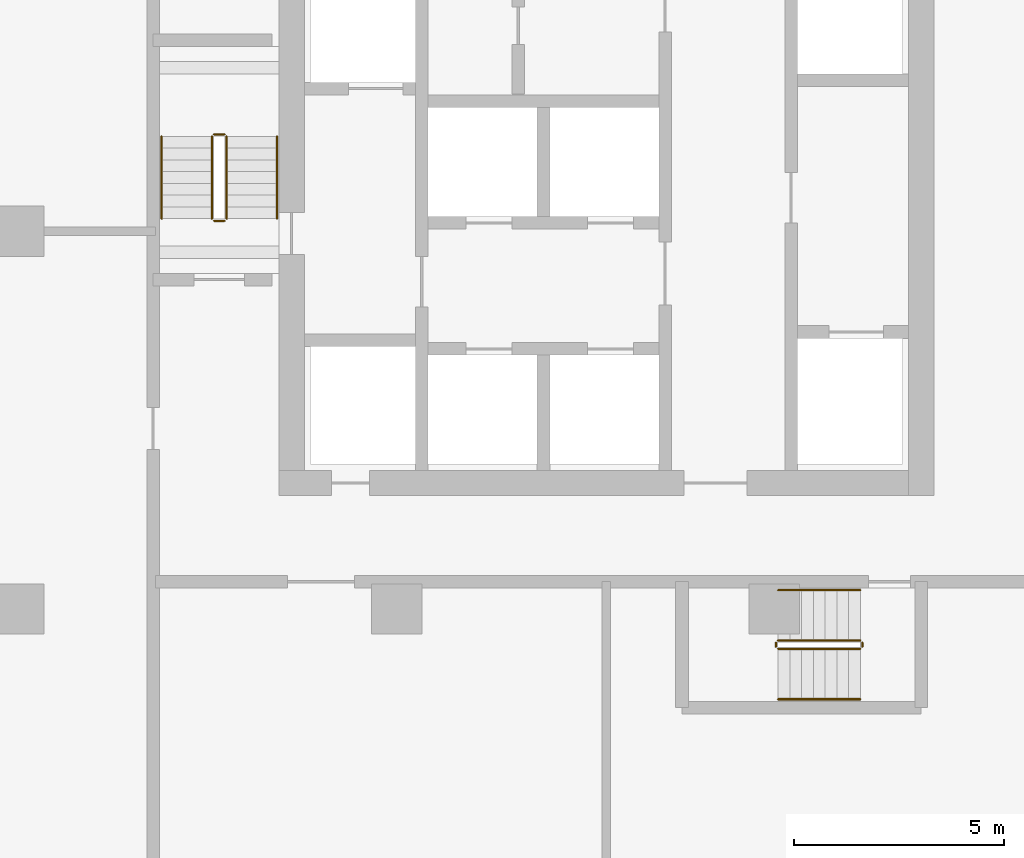
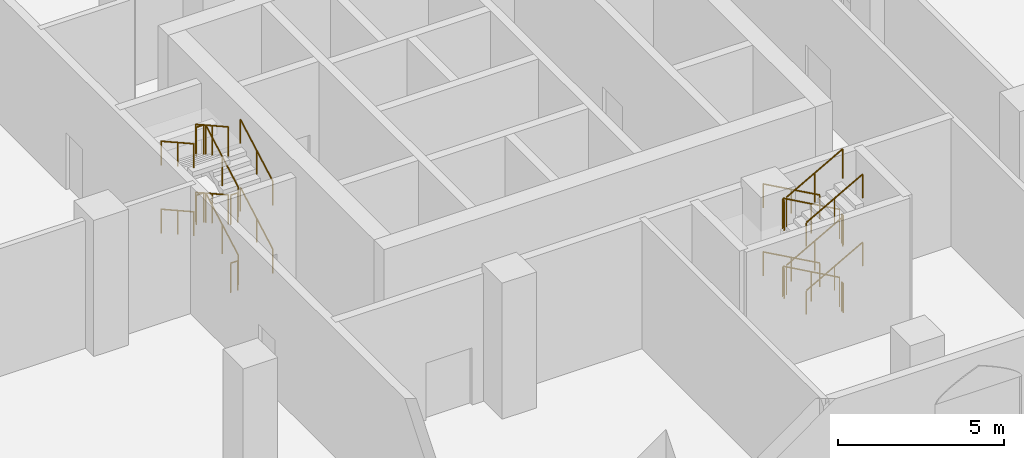
# One storey, part 30 of 31: 24 railings.
"""IFC4 building model written with IfcOpenShell, lengths in metres."""

from ifc_helpers import new_model, si_unit, direction, frame, origin, origin_2d, place, context, subcontext, project, spatial, circle, extrude, material, type_object, element, save


model = new_model("IFC4")

# Units and contexts
model_context = context("Model", 3, precision=1e-05, world=origin(), true_north=direction((0.0, 1.0)))
body_context = subcontext(model_context, "Body", "Model", "MODEL_VIEW")
ifc_project = project(units=[si_unit("LENGTHUNIT", "METRE"), si_unit("AREAUNIT", "SQUARE_METRE"), si_unit("VOLUMEUNIT", "CUBIC_METRE"), si_unit("PLANEANGLEUNIT", "RADIAN"), si_unit("MASSUNIT", "GRAM", prefix="KILO")], contexts=[model_context])

# Site, building, storey
site_placement = place(None, origin())
site = spatial("IfcSite", under=ifc_project, at=site_placement, CompositionType="ELEMENT")
building_placement = place(site_placement, origin())
building = spatial("IfcBuilding", under=site, at=building_placement, Name="Ogive Portal Towers", CompositionType="ELEMENT")
storey_placement = place(building_placement, frame((0.0, 0.0, 13.5)))
storey = spatial("IfcBuildingStorey", under=building, at=storey_placement, Name="L02", CompositionType="ELEMENT", Elevation=13.5)

# Railings
ifc_material_1 = material(Name="Stainless steel balustrade", Category="steel")
railing_type_1 = type_object("IfcRailingType", Name="INT-GUARD", PredefinedType="GUARDRAIL", material=ifc_material_1)
railing_1_placement = place(storey_placement, frame((127.449951171875, 30.800048828125, 0.15625)))
element("IfcRailing", 1, at=railing_1_placement, inside=storey, type_object=railing_type_1, Name="L02 ST-B1 stair guard 1", PredefinedType="GUARDRAIL", context=body_context, shape_type="SweptSolid", body=[
    extrude(circle(Radius=0.02392578125, at=origin_2d()), frame((0.0, 0.0, 1.076171875), z_axis=(0.0, 0.873232148454, 0.487304437602), x_axis=(-1.0, 0.0, 0.0)), (0.0, 0.0, 1.0), 2.244384765625),
    extrude(circle(Radius=0.02099609375, at=origin_2d()), origin(), (0.0, 0.0, 1.0), 1.052001953125),
    extrude(circle(Radius=0.02099609375, at=origin_2d()), frame((0.0, 0.97998046875, 0.546875)), (0.0, 0.0, 1.0), 1.052001953125),
    extrude(circle(Radius=0.02099609375, at=origin_2d()), frame((0.0, 1.9599609375, 1.09375)), (0.0, 0.0, 1.0), 1.052001953125),
])
railing_2_placement = place(storey_placement, frame((127.39990234375, 32.81005859375, 1.25)))
element("IfcRailing", 2, at=railing_2_placement, inside=storey, type_object=railing_type_1, Name="L02 ST-B1 stair guard 2", PredefinedType="GUARDRAIL", context=body_context, shape_type="SweptSolid", body=[
    extrude(circle(Radius=0.02392578125, at=origin_2d()), frame((0.0, 0.0, 1.076171875), z_axis=(-1.0, 0.0, 0.0), x_axis=(0.0, -1.0, 0.0)), (0.0, 0.0, 1.0), 0.25),
    extrude(circle(Radius=0.02099609375, at=origin_2d()), origin(), (0.0, 0.0, 1.0), 1.052001953125),
    extrude(circle(Radius=0.02099609375, at=origin_2d()), frame((-0.25, 0.0, 0.0)), (0.0, 0.0, 1.0), 1.052001953125),
])
railing_3_placement = place(storey_placement, frame((127.10009765625, 32.760009765625, 1.40625)))
element("IfcRailing", 3, at=railing_3_placement, inside=storey, type_object=railing_type_1, Name="L02 ST-B1 stair guard 3", PredefinedType="GUARDRAIL", context=body_context, shape_type="SweptSolid", body=[
    extrude(circle(Radius=0.02392578125, at=origin_2d()), frame((0.0, 0.0, 1.076171875), z_axis=(0.0, -0.873232148454, 0.487304437602), x_axis=(1.0, 0.0, 0.0)), (0.0, 0.0, 1.0), 2.244384765625),
    extrude(circle(Radius=0.02099609375, at=origin_2d()), origin(), (0.0, 0.0, 1.0), 1.052001953125),
    extrude(circle(Radius=0.02099609375, at=origin_2d()), frame((0.0, -0.97998046875, 0.546875)), (0.0, 0.0, 1.0), 1.052001953125),
    extrude(circle(Radius=0.02099609375, at=origin_2d()), frame((0.0, -1.9599609375, 1.09375)), (0.0, 0.0, 1.0), 1.052001953125),
])
railing_4_placement = place(storey_placement, frame((127.39990234375, 30.75, 2.5)))
element("IfcRailing", 4, at=railing_4_placement, inside=storey, type_object=railing_type_1, Name="L02 ST-B1 stair guard 4", PredefinedType="GUARDRAIL", context=body_context, shape_type="SweptSolid", body=[
    extrude(circle(Radius=0.02392578125, at=origin_2d()), frame((0.0, 0.0, 1.076171875), z_axis=(-1.0, 0.0, 0.0), x_axis=(0.0, -1.0, 0.0)), (0.0, 0.0, 1.0), 0.25),
    extrude(circle(Radius=0.02099609375, at=origin_2d()), origin(), (0.0, 0.0, 1.0), 1.052001953125),
    extrude(circle(Radius=0.02099609375, at=origin_2d()), frame((-0.25, 0.0, 0.0)), (0.0, 0.0, 1.0), 1.052001953125),
])
railing_5_placement = place(storey_placement, frame((127.449951171875, 30.800048828125, 2.65625)))
element("IfcRailing", 5, at=railing_5_placement, inside=storey, type_object=railing_type_1, Name="L02 ST-B1 stair guard 5", PredefinedType="GUARDRAIL", context=body_context, shape_type="SweptSolid", body=[
    extrude(circle(Radius=0.02392578125, at=origin_2d()), frame((0.0, 0.0, 1.076171875), z_axis=(0.0, 0.873232148454, 0.487304437602), x_axis=(-1.0, 0.0, 0.0)), (0.0, 0.0, 1.0), 2.244384765625),
    extrude(circle(Radius=0.02099609375, at=origin_2d()), origin(), (0.0, 0.0, 1.0), 1.052001953125),
    extrude(circle(Radius=0.02099609375, at=origin_2d()), frame((0.0, 0.97998046875, 0.546875)), (0.0, 0.0, 1.0), 1.052001953125),
    extrude(circle(Radius=0.02099609375, at=origin_2d()), frame((0.0, 1.9599609375, 1.09375)), (0.0, 0.0, 1.0), 1.052001953125),
])
railing_6_placement = place(storey_placement, frame((127.39990234375, 32.81005859375, 3.75)))
element("IfcRailing", 6, at=railing_6_placement, inside=storey, type_object=railing_type_1, Name="L02 ST-B1 stair guard 6", PredefinedType="GUARDRAIL", context=body_context, shape_type="SweptSolid", body=[
    extrude(circle(Radius=0.02392578125, at=origin_2d()), frame((0.0, 0.0, 1.076171875), z_axis=(-1.0, 0.0, 0.0), x_axis=(0.0, -1.0, 0.0)), (0.0, 0.0, 1.0), 0.25),
    extrude(circle(Radius=0.02099609375, at=origin_2d()), origin(), (0.0, 0.0, 1.0), 1.052001953125),
    extrude(circle(Radius=0.02099609375, at=origin_2d()), frame((-0.25, 0.0, 0.0)), (0.0, 0.0, 1.0), 1.052001953125),
])
railing_7_placement = place(storey_placement, frame((127.10009765625, 32.760009765625, 3.90625)))
element("IfcRailing", 7, at=railing_7_placement, inside=storey, type_object=railing_type_1, Name="L02 ST-B1 stair guard 7", PredefinedType="GUARDRAIL", context=body_context, shape_type="SweptSolid", body=[
    extrude(circle(Radius=0.02392578125, at=origin_2d()), frame((0.0, 0.0, 1.076171875), z_axis=(0.0, -0.873232148454, 0.487304437602), x_axis=(1.0, 0.0, 0.0)), (0.0, 0.0, 1.0), 2.244384765625),
    extrude(circle(Radius=0.02099609375, at=origin_2d()), origin(), (0.0, 0.0, 1.0), 1.052001953125),
    extrude(circle(Radius=0.02099609375, at=origin_2d()), frame((0.0, -0.97998046875, 0.546875)), (0.0, 0.0, 1.0), 1.052001953125),
    extrude(circle(Radius=0.02099609375, at=origin_2d()), frame((0.0, -1.9599609375, 1.09375)), (0.0, 0.0, 1.0), 1.052001953125),
])
railing_8_placement = place(storey_placement, frame((127.39990234375, 30.75, 0.0)))
element("IfcRailing", 8, at=railing_8_placement, inside=storey, type_object=railing_type_1, Name="L02 ST-B1 stair guard 8", PredefinedType="GUARDRAIL", context=body_context, shape_type="SweptSolid", body=[
    extrude(circle(Radius=0.02392578125, at=origin_2d()), frame((0.0, 0.0, 1.076171875), z_axis=(-1.0, 0.0, 0.0), x_axis=(0.0, -1.0, 0.0)), (0.0, 0.0, 1.0), 0.25),
    extrude(circle(Radius=0.02099609375, at=origin_2d()), origin(), (0.0, 0.0, 1.0), 1.052001953125),
    extrude(circle(Radius=0.02099609375, at=origin_2d()), frame((-0.25, 0.0, 0.0)), (0.0, 0.0, 1.0), 1.052001953125),
])
railing_9_placement = place(storey_placement, frame((142.550048828125, 20.75, 0.15625)))
element("IfcRailing", 9, at=railing_9_placement, inside=storey, type_object=railing_type_1, Name="L02 ST-B2 stair guard 1", PredefinedType="GUARDRAIL", context=body_context, shape_type="SweptSolid", body=[
    extrude(circle(Radius=0.02392578125, at=origin_2d()), frame((0.0, 0.0, 1.076171875), z_axis=(-0.873232148454, 0.0, 0.487304437602), x_axis=(0.0, -1.0, 0.0)), (0.0, 0.0, 1.0), 2.244384765625),
    extrude(circle(Radius=0.02099609375, at=origin_2d()), origin(), (0.0, 0.0, 1.0), 1.052001953125),
    extrude(circle(Radius=0.02099609375, at=origin_2d()), frame((-0.97998046875, 0.0, 0.546875)), (0.0, 0.0, 1.0), 1.052001953125),
    extrude(circle(Radius=0.02099609375, at=origin_2d()), frame((-1.9599609375, 0.0, 1.09375)), (0.0, 0.0, 1.0), 1.052001953125),
])
railing_10_placement = place(storey_placement, frame((140.5400390625, 20.699951171875, 1.25)))
element("IfcRailing", 10, at=railing_10_placement, inside=storey, type_object=railing_type_1, Name="L02 ST-B2 stair guard 2", PredefinedType="GUARDRAIL", context=body_context, shape_type="SweptSolid", body=[
    extrude(circle(Radius=0.02392578125, at=origin_2d()), frame((0.0, 0.0, 1.076171875), z_axis=(0.0, -1.0, 0.0), x_axis=(1.0, 0.0, 0.0)), (0.0, 0.0, 1.0), 0.099853515625),
    extrude(circle(Radius=0.02099609375, at=origin_2d()), origin(), (0.0, 0.0, 1.0), 1.052001953125),
    extrude(circle(Radius=0.02099609375, at=origin_2d()), frame((0.0, -0.099853515625, 0.0)), (0.0, 0.0, 1.0), 1.052001953125),
])
railing_11_placement = place(storey_placement, frame((140.590087890625, 20.550048828125, 1.40625)))
element("IfcRailing", 11, at=railing_11_placement, inside=storey, type_object=railing_type_1, Name="L02 ST-B2 stair guard 3", PredefinedType="GUARDRAIL", context=body_context, shape_type="SweptSolid", body=[
    extrude(circle(Radius=0.02392578125, at=origin_2d()), frame((0.0, 0.0, 1.076171875), z_axis=(0.873232148454, 0.0, 0.487304437602), x_axis=(0.0, 1.0, 0.0)), (0.0, 0.0, 1.0), 2.244384765625),
    extrude(circle(Radius=0.02099609375, at=origin_2d()), origin(), (0.0, 0.0, 1.0), 1.052001953125),
    extrude(circle(Radius=0.02099609375, at=origin_2d()), frame((0.97998046875, 0.0, 0.546875)), (0.0, 0.0, 1.0), 1.052001953125),
    extrude(circle(Radius=0.02099609375, at=origin_2d()), frame((1.9599609375, 0.0, 1.09375)), (0.0, 0.0, 1.0), 1.052001953125),
])
railing_12_placement = place(storey_placement, frame((142.60009765625, 20.699951171875, 2.5)))
element("IfcRailing", 12, at=railing_12_placement, inside=storey, type_object=railing_type_1, Name="L02 ST-B2 stair guard 4", PredefinedType="GUARDRAIL", context=body_context, shape_type="SweptSolid", body=[
    extrude(circle(Radius=0.02392578125, at=origin_2d()), frame((0.0, 0.0, 1.076171875), z_axis=(0.0, -1.0, 0.0), x_axis=(1.0, 0.0, 0.0)), (0.0, 0.0, 1.0), 0.099853515625),
    extrude(circle(Radius=0.02099609375, at=origin_2d()), origin(), (0.0, 0.0, 1.0), 1.052001953125),
    extrude(circle(Radius=0.02099609375, at=origin_2d()), frame((0.0, -0.099853515625, 0.0)), (0.0, 0.0, 1.0), 1.052001953125),
])
railing_13_placement = place(storey_placement, frame((142.550048828125, 20.75, 2.65625)))
element("IfcRailing", 13, at=railing_13_placement, inside=storey, type_object=railing_type_1, Name="L02 ST-B2 stair guard 5", PredefinedType="GUARDRAIL", context=body_context, shape_type="SweptSolid", body=[
    extrude(circle(Radius=0.02392578125, at=origin_2d()), frame((0.0, 0.0, 1.076171875), z_axis=(-0.873232148454, 0.0, 0.487304437602), x_axis=(0.0, -1.0, 0.0)), (0.0, 0.0, 1.0), 2.244384765625),
    extrude(circle(Radius=0.02099609375, at=origin_2d()), origin(), (0.0, 0.0, 1.0), 1.052001953125),
    extrude(circle(Radius=0.02099609375, at=origin_2d()), frame((-0.97998046875, 0.0, 0.546875)), (0.0, 0.0, 1.0), 1.052001953125),
    extrude(circle(Radius=0.02099609375, at=origin_2d()), frame((-1.9599609375, 0.0, 1.09375)), (0.0, 0.0, 1.0), 1.052001953125),
])
railing_14_placement = place(storey_placement, frame((140.5400390625, 20.699951171875, 3.75)))
element("IfcRailing", 14, at=railing_14_placement, inside=storey, type_object=railing_type_1, Name="L02 ST-B2 stair guard 6", PredefinedType="GUARDRAIL", context=body_context, shape_type="SweptSolid", body=[
    extrude(circle(Radius=0.02392578125, at=origin_2d()), frame((0.0, 0.0, 1.076171875), z_axis=(0.0, -1.0, 0.0), x_axis=(1.0, 0.0, 0.0)), (0.0, 0.0, 1.0), 0.099853515625),
    extrude(circle(Radius=0.02099609375, at=origin_2d()), origin(), (0.0, 0.0, 1.0), 1.052001953125),
    extrude(circle(Radius=0.02099609375, at=origin_2d()), frame((0.0, -0.099853515625, 0.0)), (0.0, 0.0, 1.0), 1.052001953125),
])
railing_15_placement = place(storey_placement, frame((140.590087890625, 20.550048828125, 3.90625)))
element("IfcRailing", 15, at=railing_15_placement, inside=storey, type_object=railing_type_1, Name="L02 ST-B2 stair guard 7", PredefinedType="GUARDRAIL", context=body_context, shape_type="SweptSolid", body=[
    extrude(circle(Radius=0.02392578125, at=origin_2d()), frame((0.0, 0.0, 1.076171875), z_axis=(0.873232148454, 0.0, 0.487304437602), x_axis=(0.0, 1.0, 0.0)), (0.0, 0.0, 1.0), 2.244384765625),
    extrude(circle(Radius=0.02099609375, at=origin_2d()), origin(), (0.0, 0.0, 1.0), 1.052001953125),
    extrude(circle(Radius=0.02099609375, at=origin_2d()), frame((0.97998046875, 0.0, 0.546875)), (0.0, 0.0, 1.0), 1.052001953125),
    extrude(circle(Radius=0.02099609375, at=origin_2d()), frame((1.9599609375, 0.0, 1.09375)), (0.0, 0.0, 1.0), 1.052001953125),
])
railing_16_placement = place(storey_placement, frame((142.60009765625, 20.699951171875, 0.0)))
element("IfcRailing", 16, at=railing_16_placement, inside=storey, type_object=railing_type_1, Name="L02 ST-B2 stair guard 8", PredefinedType="GUARDRAIL", context=body_context, shape_type="SweptSolid", body=[
    extrude(circle(Radius=0.02392578125, at=origin_2d()), frame((0.0, 0.0, 1.076171875), z_axis=(0.0, -1.0, 0.0), x_axis=(1.0, 0.0, 0.0)), (0.0, 0.0, 1.0), 0.099853515625),
    extrude(circle(Radius=0.02099609375, at=origin_2d()), origin(), (0.0, 0.0, 1.0), 1.052001953125),
    extrude(circle(Radius=0.02099609375, at=origin_2d()), frame((0.0, -0.099853515625, 0.0)), (0.0, 0.0, 1.0), 1.052001953125),
])
ifc_material_2 = material(Name="Stainless steel handrail", Category="steel")
railing_type_2 = type_object("IfcRailingType", Name="INT-HANDRAIL", PredefinedType="HANDRAIL", material=ifc_material_2)
railing_17_placement = place(storey_placement, frame((128.64990234375, 30.800048828125, 0.15625)))
element("IfcRailing", 17, at=railing_17_placement, inside=storey, type_object=railing_type_2, Name="L02 ST-B1 stair handrail 1", PredefinedType="HANDRAIL", context=body_context, shape_type="SweptSolid", body=[
    extrude(circle(Radius=0.02392578125, at=origin_2d()), frame((0.0, 0.0, 0.8759765625), z_axis=(0.0, 0.873232148454, 0.487304437602), x_axis=(-1.0, 0.0, 0.0)), (0.0, 0.0, 1.0), 2.244384765625),
    extrude(circle(Radius=0.02099609375, at=origin_2d()), origin(), (0.0, 0.0, 1.0), 0.851806640625),
    extrude(circle(Radius=0.02099609375, at=origin_2d()), frame((0.0, 0.97998046875, 0.546875)), (0.0, 0.0, 1.0), 0.851806640625),
    extrude(circle(Radius=0.02099609375, at=origin_2d()), frame((0.0, 1.9599609375, 1.09375)), (0.0, 0.0, 1.0), 0.851806640625),
])
railing_18_placement = place(storey_placement, frame((125.89990234375, 32.760009765625, 1.40625)))
element("IfcRailing", 18, at=railing_18_placement, inside=storey, type_object=railing_type_2, Name="L02 ST-B1 stair handrail 2", PredefinedType="HANDRAIL", context=body_context, shape_type="SweptSolid", body=[
    extrude(circle(Radius=0.02392578125, at=origin_2d()), frame((0.0, 0.0, 0.8759765625), z_axis=(0.0, -0.873232148454, 0.487304437602), x_axis=(1.0, 0.0, 0.0)), (0.0, 0.0, 1.0), 2.244384765625),
    extrude(circle(Radius=0.02099609375, at=origin_2d()), origin(), (0.0, 0.0, 1.0), 0.851806640625),
    extrude(circle(Radius=0.02099609375, at=origin_2d()), frame((0.0, -0.97998046875, 0.546875)), (0.0, 0.0, 1.0), 0.851806640625),
    extrude(circle(Radius=0.02099609375, at=origin_2d()), frame((0.0, -1.9599609375, 1.09375)), (0.0, 0.0, 1.0), 0.851806640625),
])
railing_19_placement = place(storey_placement, frame((128.64990234375, 30.800048828125, 2.65625)))
element("IfcRailing", 19, at=railing_19_placement, inside=storey, type_object=railing_type_2, Name="L02 ST-B1 stair handrail 3", PredefinedType="HANDRAIL", context=body_context, shape_type="SweptSolid", body=[
    extrude(circle(Radius=0.02392578125, at=origin_2d()), frame((0.0, 0.0, 0.8759765625), z_axis=(0.0, 0.873232148454, 0.487304437602), x_axis=(-1.0, 0.0, 0.0)), (0.0, 0.0, 1.0), 2.244384765625),
    extrude(circle(Radius=0.02099609375, at=origin_2d()), origin(), (0.0, 0.0, 1.0), 0.851806640625),
    extrude(circle(Radius=0.02099609375, at=origin_2d()), frame((0.0, 0.97998046875, 0.546875)), (0.0, 0.0, 1.0), 0.851806640625),
    extrude(circle(Radius=0.02099609375, at=origin_2d()), frame((0.0, 1.9599609375, 1.09375)), (0.0, 0.0, 1.0), 0.851806640625),
])
railing_20_placement = place(storey_placement, frame((125.89990234375, 32.760009765625, 3.90625)))
element("IfcRailing", 20, at=railing_20_placement, inside=storey, type_object=railing_type_2, Name="L02 ST-B1 stair handrail 4", PredefinedType="HANDRAIL", context=body_context, shape_type="SweptSolid", body=[
    extrude(circle(Radius=0.02392578125, at=origin_2d()), frame((0.0, 0.0, 0.8759765625), z_axis=(0.0, -0.873232148454, 0.487304437602), x_axis=(1.0, 0.0, 0.0)), (0.0, 0.0, 1.0), 2.244384765625),
    extrude(circle(Radius=0.02099609375, at=origin_2d()), origin(), (0.0, 0.0, 1.0), 0.851806640625),
    extrude(circle(Radius=0.02099609375, at=origin_2d()), frame((0.0, -0.97998046875, 0.546875)), (0.0, 0.0, 1.0), 0.851806640625),
    extrude(circle(Radius=0.02099609375, at=origin_2d()), frame((0.0, -1.9599609375, 1.09375)), (0.0, 0.0, 1.0), 0.851806640625),
])
railing_21_placement = place(storey_placement, frame((142.550048828125, 21.949951171875, 0.15625)))
element("IfcRailing", 21, at=railing_21_placement, inside=storey, type_object=railing_type_2, Name="L02 ST-B2 stair handrail 1", PredefinedType="HANDRAIL", context=body_context, shape_type="SweptSolid", body=[
    extrude(circle(Radius=0.02392578125, at=origin_2d()), frame((0.0, 0.0, 0.8759765625), z_axis=(-0.873232148454, 0.0, 0.487304437602), x_axis=(0.0, -1.0, 0.0)), (0.0, 0.0, 1.0), 2.244384765625),
    extrude(circle(Radius=0.02099609375, at=origin_2d()), origin(), (0.0, 0.0, 1.0), 0.851806640625),
    extrude(circle(Radius=0.02099609375, at=origin_2d()), frame((-0.97998046875, 0.0, 0.546875)), (0.0, 0.0, 1.0), 0.851806640625),
    extrude(circle(Radius=0.02099609375, at=origin_2d()), frame((-1.9599609375, 0.0, 1.09375)), (0.0, 0.0, 1.0), 0.851806640625),
])
railing_22_placement = place(storey_placement, frame((140.590087890625, 19.35009765625, 1.40625)))
element("IfcRailing", 22, at=railing_22_placement, inside=storey, type_object=railing_type_2, Name="L02 ST-B2 stair handrail 2", PredefinedType="HANDRAIL", context=body_context, shape_type="SweptSolid", body=[
    extrude(circle(Radius=0.02392578125, at=origin_2d()), frame((0.0, 0.0, 0.8759765625), z_axis=(0.873232148454, 0.0, 0.487304437602), x_axis=(0.0, 1.0, 0.0)), (0.0, 0.0, 1.0), 2.244384765625),
    extrude(circle(Radius=0.02099609375, at=origin_2d()), origin(), (0.0, 0.0, 1.0), 0.851806640625),
    extrude(circle(Radius=0.02099609375, at=origin_2d()), frame((0.97998046875, 0.0, 0.546875)), (0.0, 0.0, 1.0), 0.851806640625),
    extrude(circle(Radius=0.02099609375, at=origin_2d()), frame((1.9599609375, 0.0, 1.09375)), (0.0, 0.0, 1.0), 0.851806640625),
])
railing_23_placement = place(storey_placement, frame((142.550048828125, 21.949951171875, 2.65625)))
element("IfcRailing", 23, at=railing_23_placement, inside=storey, type_object=railing_type_2, Name="L02 ST-B2 stair handrail 3", PredefinedType="HANDRAIL", context=body_context, shape_type="SweptSolid", body=[
    extrude(circle(Radius=0.02392578125, at=origin_2d()), frame((0.0, 0.0, 0.8759765625), z_axis=(-0.873232148454, 0.0, 0.487304437602), x_axis=(0.0, -1.0, 0.0)), (0.0, 0.0, 1.0), 2.244384765625),
    extrude(circle(Radius=0.02099609375, at=origin_2d()), origin(), (0.0, 0.0, 1.0), 0.851806640625),
    extrude(circle(Radius=0.02099609375, at=origin_2d()), frame((-0.97998046875, 0.0, 0.546875)), (0.0, 0.0, 1.0), 0.851806640625),
    extrude(circle(Radius=0.02099609375, at=origin_2d()), frame((-1.9599609375, 0.0, 1.09375)), (0.0, 0.0, 1.0), 0.851806640625),
])
railing_24_placement = place(storey_placement, frame((140.590087890625, 19.35009765625, 3.90625)))
element("IfcRailing", 24, at=railing_24_placement, inside=storey, type_object=railing_type_2, Name="L02 ST-B2 stair handrail 4", PredefinedType="HANDRAIL", context=body_context, shape_type="SweptSolid", body=[
    extrude(circle(Radius=0.02392578125, at=origin_2d()), frame((0.0, 0.0, 0.8759765625), z_axis=(0.873232148454, 0.0, 0.487304437602), x_axis=(0.0, 1.0, 0.0)), (0.0, 0.0, 1.0), 2.244384765625),
    extrude(circle(Radius=0.02099609375, at=origin_2d()), origin(), (0.0, 0.0, 1.0), 0.851806640625),
    extrude(circle(Radius=0.02099609375, at=origin_2d()), frame((0.97998046875, 0.0, 0.546875)), (0.0, 0.0, 1.0), 0.851806640625),
    extrude(circle(Radius=0.02099609375, at=origin_2d()), frame((1.9599609375, 0.0, 1.09375)), (0.0, 0.0, 1.0), 0.851806640625),
])

save(model, "model.ifc")
